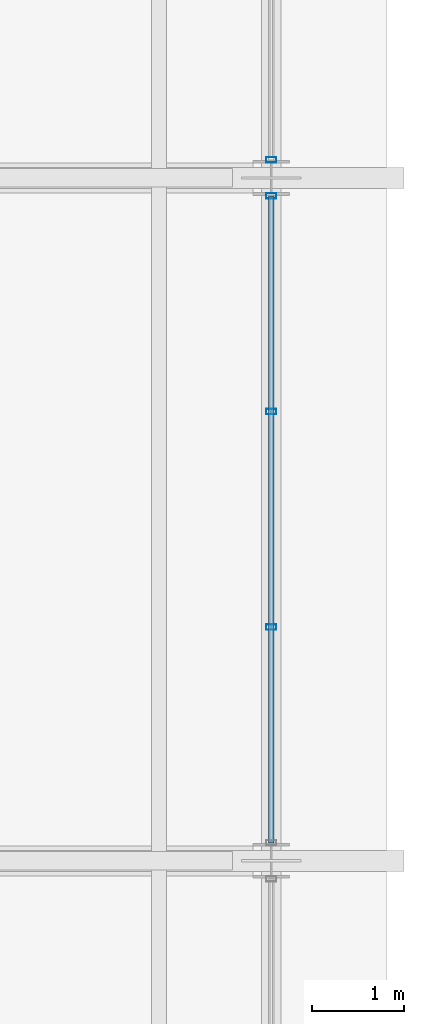
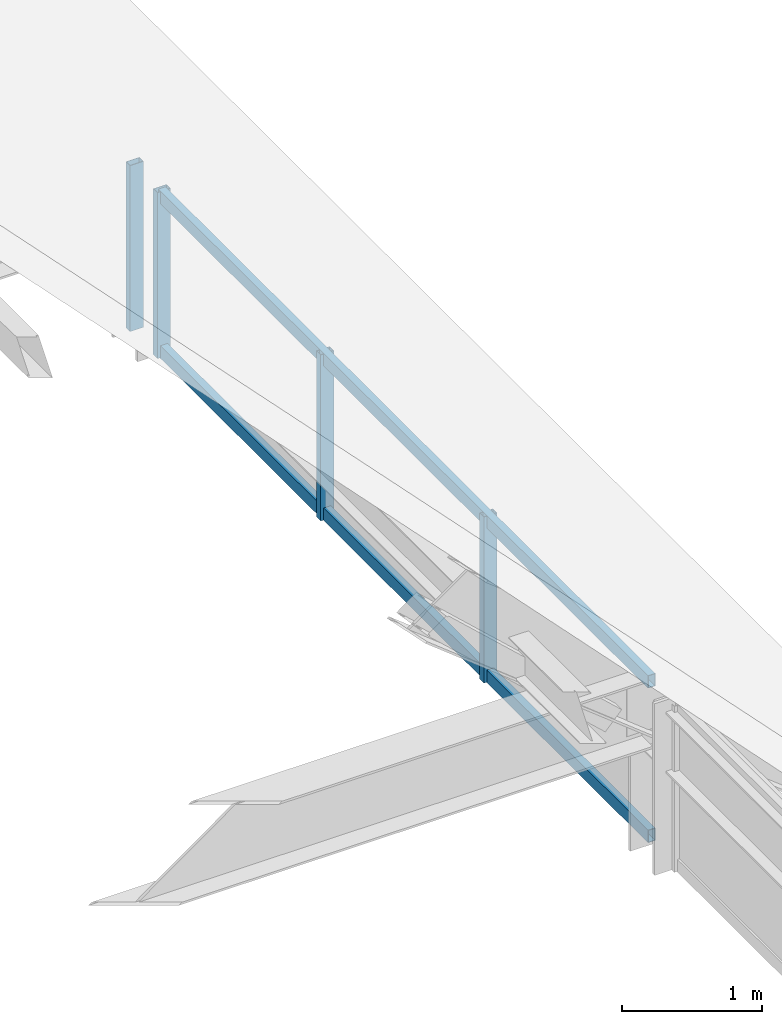
# One storey, part 11 of 44: 6 members, 2 elements without a shape of their own.
"""IFC4 building model written with IfcOpenShell, lengths in metres."""

import ifcopenshell
import ifcopenshell.guid

model = None  # the IFC model being written
_history = None  # IfcOwnerHistory: only IFC2X3 demands one
_inside = {}  # id of a spatial element -> (the spatial element, [elements in it])
_under = {}  # id of a project, library or spatial element -> (it, [spatial elements below it])
_declared = {}  # id of a project -> (the project, [libraries it declares])
_typed = {}  # id of a type object -> (the type object, [elements of that type])
_made_of = {}  # id of a material, layer set ... -> (it, [elements and type objects made of it])


def new_model(schema):
    """Start an empty IFC model of exactly this schema.

    Asked for "IFC4X3", IfcOpenShell would pick the latest addendum, in which some entities
    have other attributes; the version numbers below select the first issue.
    IFC2X3 requires an IfcOwnerHistory on every rooted entity: one is made here for all.
    """
    global model, _history
    if schema == "IFC4X3":
        model = ifcopenshell.file(schema_version=(4, 3, 0, 0))
    else:
        model = ifcopenshell.file(schema=schema)
    _inside.clear()
    _under.clear()
    _declared.clear()
    _typed.clear()
    _made_of.clear()
    _history = None
    if model.schema == "IFC2X3":
        org = make("IfcOrganization", Name="unknown")
        user = make(
            "IfcPersonAndOrganization",
            ThePerson=make("IfcPerson", FamilyName="unknown"),
            TheOrganization=org,
        )
        app = make(
            "IfcApplication",
            ApplicationDeveloper=org,
            Version="unknown",
            ApplicationFullName="unknown",
            ApplicationIdentifier="unknown",
        )
        _history = make(
            "IfcOwnerHistory",
            OwningUser=user,
            OwningApplication=app,
            ChangeAction="ADDED",
            CreationDate=0,
        )
    return model


def make(cls, **values):
    """One entity of the class cls with the attributes given. An attribute that is None is left unset."""
    return model.create_entity(
        cls, **{name: value for name, value in values.items() if value is not None}
    )


def rooted(cls, **values):
    """An entity with a GlobalId (a new one), such as an element, a storey or a relation."""
    return make(cls, GlobalId=ifcopenshell.guid.new(), OwnerHistory=_history, **values)


def si_unit(unit_type, name, prefix=None):
    """IfcSIUnit, for example si_unit("LENGTHUNIT", "METRE", prefix="MILLI")."""
    return make("IfcSIUnit", UnitType=unit_type, Prefix=prefix, Name=name)


def assignment(units):
    """IfcUnitAssignment: the units of a project."""
    return None if units is None else make("IfcUnitAssignment", Units=units)


def point(xyz):
    """IfcCartesianPoint."""
    return None if xyz is None else make("IfcCartesianPoint", Coordinates=xyz)


def direction(xyz):
    """IfcDirection."""
    return None if xyz is None else make("IfcDirection", DirectionRatios=xyz)


def frame(location, z_axis=None, x_axis=None):
    """IfcAxis2Placement3D, a coordinate frame: its origin and axes. An axis left out is left unset."""
    return make(
        "IfcAxis2Placement3D",
        Location=point(location),
        Axis=direction(z_axis),
        RefDirection=direction(x_axis),
    )


def frame_2d(location, x_axis=None):
    """IfcAxis2Placement2D, a coordinate frame in the plane: its origin and x axis."""
    return make(
        "IfcAxis2Placement2D", Location=point(location), RefDirection=direction(x_axis)
    )


def origin():
    """The frame at (0, 0, 0) with its axes left unset."""
    return frame((0.0, 0.0, 0.0))


def origin_2d():
    """The frame at (0, 0) in the plane with its x axis left unset."""
    return frame_2d((0.0, 0.0))


def place(relative_to, where):
    """IfcLocalPlacement: puts the frame where relative to a parent placement (None: the world)."""
    return make(
        "IfcLocalPlacement", PlacementRelTo=relative_to, RelativePlacement=where
    )


def context(
    kind, dimensions, precision=None, world=None, true_north=None, identifier=None
):
    """IfcGeometricRepresentationContext, for example the 3D "Model" context."""
    return make(
        "IfcGeometricRepresentationContext",
        ContextIdentifier=identifier,
        ContextType=kind,
        CoordinateSpaceDimension=dimensions,
        Precision=precision,
        WorldCoordinateSystem=world,
        TrueNorth=true_north,
    )


def subcontext(parent, identifier, kind, view, scale=None):
    """IfcGeometricRepresentationSubContext, for example "Body" below "Model"."""
    return make(
        "IfcGeometricRepresentationSubContext",
        ContextIdentifier=identifier,
        ContextType=kind,
        ParentContext=parent,
        TargetScale=scale,
        TargetView=view,
    )


def project(units=None, contexts=None):
    """IfcProject with its units and contexts."""
    return rooted(
        "IfcProject",
        Name="project",
        RepresentationContexts=contexts,
        UnitsInContext=assignment(units),
    )


def spatial(cls, under=None, at=None, **own):
    """A site, building, storey or space (cls), placed at a placement, below another one or the project."""
    s = rooted(cls, ObjectPlacement=at, **own)
    if under is not None:
        _under.setdefault(under.id(), (under, []))[1].append(s)
    return s


def profile(cls, at=None, kind="AREA", **sizes):
    """A parametric profile (cls). Its sizes go by their IFC names, for example OverallWidth=200.0."""
    return make(cls, ProfileType=kind, Position=at, **sizes)


def hollow_rectangle(**sizes):
    """IfcRectangleHollowProfileDef."""
    return profile("IfcRectangleHollowProfileDef", **sizes)


def extrude(swept, where, along, depth):
    """IfcExtrudedAreaSolid: the profile swept, set in the frame where, extruded along a direction by depth."""
    return make(
        "IfcExtrudedAreaSolid",
        SweptArea=swept,
        Position=where,
        ExtrudedDirection=direction(along),
        Depth=depth,
    )


def shape(context_of_items, identifier, shape_type, items):
    """IfcShapeRepresentation: the items that make up one representation, for example the "Body"."""
    return make(
        "IfcShapeRepresentation",
        ContextOfItems=context_of_items,
        RepresentationIdentifier=identifier,
        RepresentationType=shape_type,
        Items=items,
    )


def material(Name=None, Category=None):
    """IfcMaterial."""
    return make("IfcMaterial", Name=Name, Category=Category)


def material_profile(
    of_material, cross_section, Name=None, Category=None, Priority=None
):
    """IfcMaterialProfile: a cross section and its material."""
    return make(
        "IfcMaterialProfile",
        Name=Name,
        Material=of_material,
        Profile=cross_section,
        Priority=Priority,
        Category=Category,
    )


def profile_set(profiles, Name=None, composite=None):
    """IfcMaterialProfileSet."""
    return make(
        "IfcMaterialProfileSet",
        Name=Name,
        MaterialProfiles=profiles,
        CompositeProfile=composite,
    )


def made_of(thing, what):
    """Note that an element or type object is made of a material, layer set ...; save() writes the relation."""
    if what is not None:
        _made_of.setdefault(what.id(), (what, []))[1].append(thing)
    return thing


def type_object(cls, material=None, **own):
    """A type object (cls), such as IfcWallType, which elements share."""
    return made_of(rooted(cls, **own), material)


def element(
    cls,
    number,
    at=None,
    inside=None,
    cuts=None,
    type_object=None,
    material=None,
    context=None,
    identifier="Body",
    shape_type=None,
    held_by="IfcProductDefinitionShape",
    body=None,
    shapes=None,
    **own,
):
    """One element of the class cls, such as IfcWall. Its Tag is "e" and its number.

    at: its placement. inside: the storey or other place that contains it. cuts: it is an
    opening in that element (IfcRelVoidsElement). A single representation is given by context,
    identifier, shape_type and body (its items); several are given by shapes. held_by: the class
    of the entity that holds the representations. save() writes the other relations.
    """
    e = rooted(cls, Tag="e%d" % number, ObjectPlacement=at, **own)
    if body is not None:
        shapes = [shape(context, identifier, shape_type, body)]
    if shapes is not None:
        e.Representation = make(held_by, Representations=shapes)
    if inside is not None:
        _inside.setdefault(inside.id(), (inside, []))[1].append(e)
    if cuts is not None:
        rooted(
            "IfcRelVoidsElement", RelatingBuildingElement=cuts, RelatedOpeningElement=e
        )
    if type_object is not None:
        _typed.setdefault(type_object.id(), (type_object, []))[1].append(e)
    return made_of(e, material)


def aggregate(whole, parts):
    """IfcRelAggregates: a whole, such as a stair, and the parts it consists of."""
    return rooted("IfcRelAggregates", RelatingObject=whole, RelatedObjects=parts)


def save(model, path):
    """Write the relations noted so far, then the file.

    IfcRelAggregates (storeys below a building ...), IfcRelContainedInSpatialStructure (elements
    in a storey), IfcRelDefinesByType, IfcRelAssociatesMaterial and IfcRelDeclares: one each for
    every whole, place, type object, material and project.
    """
    for whole, parts in _under.values():
        aggregate(whole, parts)
    for where, things in _inside.values():
        rooted(
            "IfcRelContainedInSpatialStructure",
            RelatedElements=things,
            RelatingStructure=where,
        )
    for kind, things in _typed.values():
        rooted("IfcRelDefinesByType", RelatedObjects=things, RelatingType=kind)
    for what, things in _made_of.values():
        rooted("IfcRelAssociatesMaterial", RelatedObjects=things, RelatingMaterial=what)
    for by, libraries in _declared.values():
        rooted("IfcRelDeclares", RelatingContext=by, RelatedDefinitions=libraries)
    model.write(path)


model = new_model("IFC4")

# Units and contexts
model_context = context("Model", 3, precision=1e-05, world=origin(), true_north=direction((0.0, 1.0)))
body_context = subcontext(model_context, "Body", "Model", "MODEL_VIEW")
ifc_project = project(units=[si_unit("LENGTHUNIT", "METRE"), si_unit("AREAUNIT", "SQUARE_METRE"), si_unit("VOLUMEUNIT", "CUBIC_METRE"), si_unit("PLANEANGLEUNIT", "RADIAN"), si_unit("MASSUNIT", "GRAM", prefix="KILO")], contexts=[model_context])

# Site, building, storey
site_placement = place(None, origin())
site = spatial("IfcSite", under=ifc_project, at=site_placement, CompositionType="ELEMENT")
building_placement = place(site_placement, origin())
building = spatial("IfcBuilding", under=site, at=building_placement, Name="Cimatlan Art Gallery", CompositionType="ELEMENT")
storey_placement = place(building_placement, frame((0.0, 0.0, 26.39990234375)))
storey = spatial("IfcBuildingStorey", under=building, at=storey_placement, Name="Roof", CompositionType="ELEMENT", Elevation=26.39990234375)

# Curtain wall, members
ifc_material_1 = material(Name="Anodised bronze unitised curtain wall")
curtain_wall_type = type_object("IfcCurtainWallType", Name="CW-V-07010X01450-B3", PredefinedType="NOTDEFINED", material=ifc_material_1)
curtain_wall_1_placement = place(storey_placement, origin())
curtain_wall_1 = element("IfcCurtainWall", 1, at=curtain_wall_1_placement, inside=storey, type_object=curtain_wall_type, Name="CW-CRW-E-04", PredefinedType="NOTDEFINED")
ifc_material_2 = material(Name="Anodised bronze aluminium 6063-T6", Category="aluminium")
ifc_material_profile_1 = material_profile(ifc_material_2, hollow_rectangle(XDim=0.06005859375, YDim=0.110107421875, WallThickness=0.00341796875, at=origin_2d()), Name="ALU60X110X3")
ifc_profile_set_1 = profile_set([ifc_material_profile_1], Name="Anodised bronze aluminium 6063-T6")
member_type_1 = type_object("IfcMemberType", Name="CW-MUL-110", PredefinedType="MULLION", material=ifc_profile_set_1)
member_1_placement = place(storey_placement, frame((99.199951171875, 38.5048828125, 0.0), z_axis=(0.0, 0.0, 1.0), x_axis=(0.0, 1.0, 0.0)))
member_1 = element("IfcMember", 2, at=member_1_placement, type_object=member_type_1, Name="CW-CRW-E-04-M1", PredefinedType="MULLION", context=body_context, shape_type="SweptSolid", body=[
    extrude(hollow_rectangle(XDim=0.06005859375, YDim=0.110107421875, WallThickness=0.00341796875, at=origin_2d()), origin(), (0.0, 0.0, 1.0), 1.4501953125),
])
member_2_placement = place(storey_placement, frame((99.199951171875, 36.168212890625, 0.0), z_axis=(0.0, 0.0, 1.0), x_axis=(0.0, 1.0, 0.0)))
member_2 = element("IfcMember", 3, at=member_2_placement, type_object=member_type_1, Name="CW-CRW-E-04-M2", PredefinedType="MULLION", context=body_context, shape_type="SweptSolid", body=[
    extrude(hollow_rectangle(XDim=0.06005859375, YDim=0.110107421875, WallThickness=0.00341796875, at=origin_2d()), origin(), (0.0, 0.0, 1.0), 1.4501953125),
])
member_3_placement = place(storey_placement, frame((99.199951171875, 33.831787109375, 0.0), z_axis=(0.0, 0.0, 1.0), x_axis=(0.0, 1.0, 0.0)))
member_3 = element("IfcMember", 4, at=member_3_placement, type_object=member_type_1, Name="CW-CRW-E-04-M3", PredefinedType="MULLION", context=body_context, shape_type="SweptSolid", body=[
    extrude(hollow_rectangle(XDim=0.06005859375, YDim=0.110107421875, WallThickness=0.00341796875, at=origin_2d()), origin(), (0.0, 0.0, 1.0), 1.4501953125),
])

# Curtain wall, member
curtain_wall_2_placement = place(storey_placement, origin())
curtain_wall_2 = element("IfcCurtainWall", 5, at=curtain_wall_2_placement, inside=storey, type_object=curtain_wall_type, Name="CW-CRW-E-05", PredefinedType="NOTDEFINED")
member_4_placement = place(storey_placement, frame((99.199951171875, 38.89501953125, 0.0), z_axis=(0.0, 0.0, 1.0), x_axis=(0.0, 1.0, 0.0)))
member_4 = element("IfcMember", 6, at=member_4_placement, type_object=member_type_1, Name="CW-CRW-E-05-M4", PredefinedType="MULLION", context=body_context, shape_type="SweptSolid", body=[
    extrude(hollow_rectangle(XDim=0.06005859375, YDim=0.110107421875, WallThickness=0.00341796875, at=origin_2d()), origin(), (0.0, 0.0, 1.0), 1.4501953125),
])
aggregate(curtain_wall_2, [member_4])

# Member
ifc_material_profile_2 = material_profile(ifc_material_2, hollow_rectangle(XDim=0.06005859375, YDim=0.110107421875, WallThickness=0.00341796875, at=origin_2d()), Name="ALU60X110X3")
ifc_profile_set_2 = profile_set([ifc_material_profile_2], Name="Anodised bronze aluminium 6063-T6")
member_type_2 = type_object("IfcMemberType", Name="CW-TRN-110", PredefinedType="USERDEFINED", material=ifc_profile_set_2)
member_5_placement = place(storey_placement, frame((99.199951171875, 38.5048828125, 0.050048828125), z_axis=(0.0, -1.0, 0.0), x_axis=(1.0, 0.0, 0.0)))
member_5 = element("IfcMember", 7, at=member_5_placement, type_object=member_type_2, Name="CW-CRW-E-04-T1", ObjectType="TRANSOM", PredefinedType="USERDEFINED", context=body_context, shape_type="SweptSolid", body=[
    extrude(hollow_rectangle(XDim=0.06005859375, YDim=0.110107421875, WallThickness=0.00341796875, at=origin_2d()), origin(), (0.0, 0.0, 1.0), 7.009765625),
])

member_6_placement = place(storey_placement, frame((99.199951171875, 38.5048828125, 1.400146484375), z_axis=(0.0, -1.0, 0.0), x_axis=(1.0, 0.0, 0.0)))
member_6 = element("IfcMember", 8, at=member_6_placement, type_object=member_type_2, Name="CW-CRW-E-04-T2", ObjectType="TRANSOM", PredefinedType="USERDEFINED", context=body_context, shape_type="SweptSolid", body=[
    extrude(hollow_rectangle(XDim=0.06005859375, YDim=0.110107421875, WallThickness=0.00341796875, at=origin_2d()), origin(), (0.0, 0.0, 1.0), 7.009765625),
])

aggregate(curtain_wall_1, [member_1, member_2, member_3, member_5, member_6])

save(model, "model.ifc")
